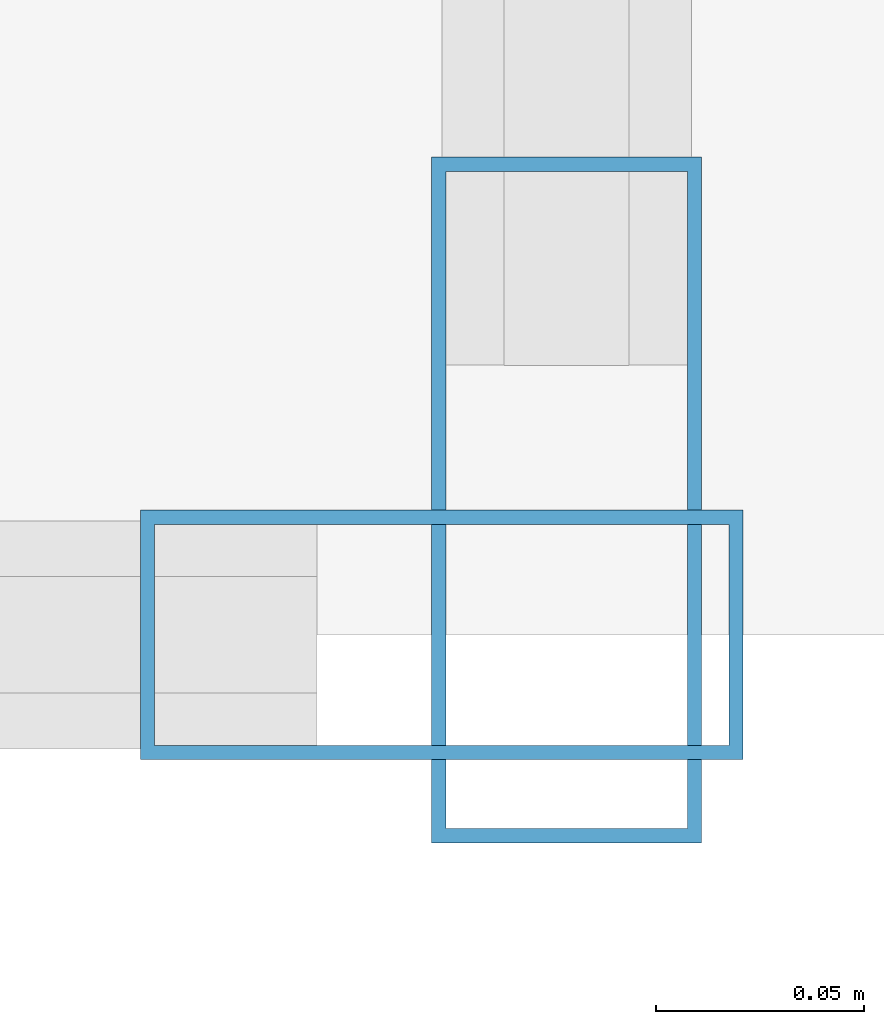
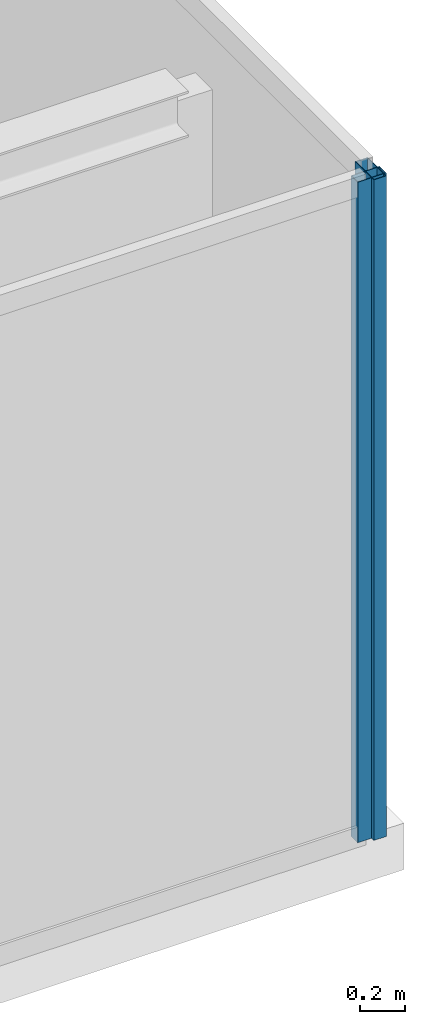
# One storey, part 17 of 30: 2 members, 2 elements without a shape of their own.
"""IFC4 building model written with IfcOpenShell, lengths in metres."""

from ifc_helpers import new_model, si_unit, direction, frame, origin, origin_2d, place, context, subcontext, project, spatial, hollow_rectangle, extrude, source, transform, mapped, material, layer, layer_set, material_profile, profile_set, type_object, type_shapes, element, aggregate, save


model = new_model("IFC4")

# Units and contexts
model_context = context("Model", 3, precision=1e-05, world=origin(), true_north=direction((0.0, 1.0)))
body_context = subcontext(model_context, "Body", "Model", "MODEL_VIEW")
ifc_project = project(units=[si_unit("LENGTHUNIT", "METRE"), si_unit("AREAUNIT", "SQUARE_METRE"), si_unit("VOLUMEUNIT", "CUBIC_METRE"), si_unit("PLANEANGLEUNIT", "RADIAN"), si_unit("MASSUNIT", "GRAM", prefix="KILO")], contexts=[model_context])

# Site, building, storey
site_placement = place(None, origin())
site = spatial("IfcSite", under=ifc_project, at=site_placement, CompositionType="ELEMENT")
building_placement = place(site_placement, origin())
building = spatial("IfcBuilding", under=site, at=building_placement, Name="Varnel Quay Broadcast Tower", CompositionType="ELEMENT")
storey_placement = place(building_placement, frame((0.0, 0.0, 211.199951171875)))
storey = spatial("IfcBuildingStorey", under=building, at=storey_placement, Name="L52", CompositionType="ELEMENT", Elevation=211.199951171875)

# Curtain wall, member
ifc_material = material(Name="Anodised Bronze Aluminium 6063-T6", Category="aluminium")
ifc_layer_1 = layer(ifc_material, 0.18994140625, Name="Anodised Bronze Aluminium 6063-T6")
ifc_layer_set_1 = layer_set([ifc_layer_1], Name="Anodised Bronze Aluminium 6063-T6")
curtain_wall_type_1 = type_object("IfcCurtainWallType", Name="CW_NotchCorner", PredefinedType="NOTDEFINED", material=ifc_layer_set_1)
curtain_wall_1_placement = place(storey_placement, origin())
curtain_wall_1 = element("IfcCurtainWall", 1, at=curtain_wall_1_placement, inside=storey, type_object=curtain_wall_type_1, Name="L52 SE Notch Curtain Wall", PredefinedType="NOTDEFINED")
ifc_material_profile_1 = material_profile(ifc_material, hollow_rectangle(XDim=0.06005859375, YDim=0.14501953125, WallThickness=0.00341796875, at=origin_2d()), Name="ALU60X145X3.5")
ifc_profile_set_1 = profile_set([ifc_material_profile_1], Name="Anodised Bronze Aluminium 6063-T6")
member_type_1 = type_object("IfcMemberType", Name="Mull_CWS-04", PredefinedType="MULLION", material=ifc_profile_set_1)
shared_shape_1 = source(origin(), body_context, "Body", "SweptSolid", [
    extrude(hollow_rectangle(XDim=0.06005859375, YDim=0.14501953125, WallThickness=0.00341796875, at=origin_2d()), origin(), (0.0, 0.0, 1.0), 3.550048828125),
])
type_shapes(member_type_1, [shared_shape_1])
member_1_placement = place(storey_placement, frame((58.320068359375, 13.60009765625, 0.0), z_axis=(0.0, 0.0, 1.0), x_axis=(0.0, 1.0, 0.0)))
member_1 = element("IfcMember", 2, at=member_1_placement, type_object=member_type_1, Name="CWS-04 mullion 2", PredefinedType="MULLION", context=body_context, shape_type="MappedRepresentation", body=[
    mapped(shared_shape_1, transform((0.0, 0.0, 0.0), x_axis=(1.0, 0.0, 0.0), y_axis=(0.0, 1.0, 0.0), z_axis=(0.0, 0.0, 1.0), scale=1.0)),
])
aggregate(curtain_wall_1, [member_1])

ifc_layer_2 = layer(ifc_material, 0.18994140625, Name="Anodised Bronze Aluminium 6063-T6")
ifc_layer_set_2 = layer_set([ifc_layer_2], Name="Anodised Bronze Aluminium 6063-T6")
curtain_wall_type_2 = type_object("IfcCurtainWallType", Name="CW_UpperTower", PredefinedType="NOTDEFINED", material=ifc_layer_set_2)
curtain_wall_2_placement = place(storey_placement, origin())
curtain_wall_2 = element("IfcCurtainWall", 3, at=curtain_wall_2_placement, inside=storey, type_object=curtain_wall_type_2, Name="L52 East Unitised Curtain Wall", PredefinedType="NOTDEFINED")
ifc_material_profile_2 = material_profile(ifc_material, hollow_rectangle(XDim=0.06494140625, YDim=0.1650390625, WallThickness=0.00341796875, at=origin_2d()), Name="ALU65X165X3.5")
ifc_profile_set_2 = profile_set([ifc_material_profile_2], Name="Anodised Bronze Aluminium 6063-T6")
member_type_2 = type_object("IfcMemberType", Name="Mull_CWS-03", PredefinedType="MULLION", material=ifc_profile_set_2)
shared_shape_2 = source(origin(), body_context, "Body", "SweptSolid", [
    extrude(hollow_rectangle(XDim=0.06494140625, YDim=0.1650390625, WallThickness=0.00341796875, at=origin_2d()), origin(), (0.0, 0.0, 1.0), 3.550048828125),
])
type_shapes(member_type_2, [shared_shape_2])
member_2_placement = place(storey_placement, frame((58.35009765625, 13.632568359375, 0.0), z_axis=(0.0, 0.0, 1.0), x_axis=(-1.0, 0.0, 0.0)))
member_2 = element("IfcMember", 4, at=member_2_placement, type_object=member_type_2, Name="CWS-03 mullion 1", PredefinedType="MULLION", context=body_context, shape_type="MappedRepresentation", body=[
    mapped(shared_shape_2, transform((0.0, 0.0, 0.0), x_axis=(1.0, 0.0, 0.0), y_axis=(0.0, 1.0, 0.0), z_axis=(0.0, 0.0, 1.0), scale=1.0)),
])
aggregate(curtain_wall_2, [member_2])

save(model, "model.ifc")
